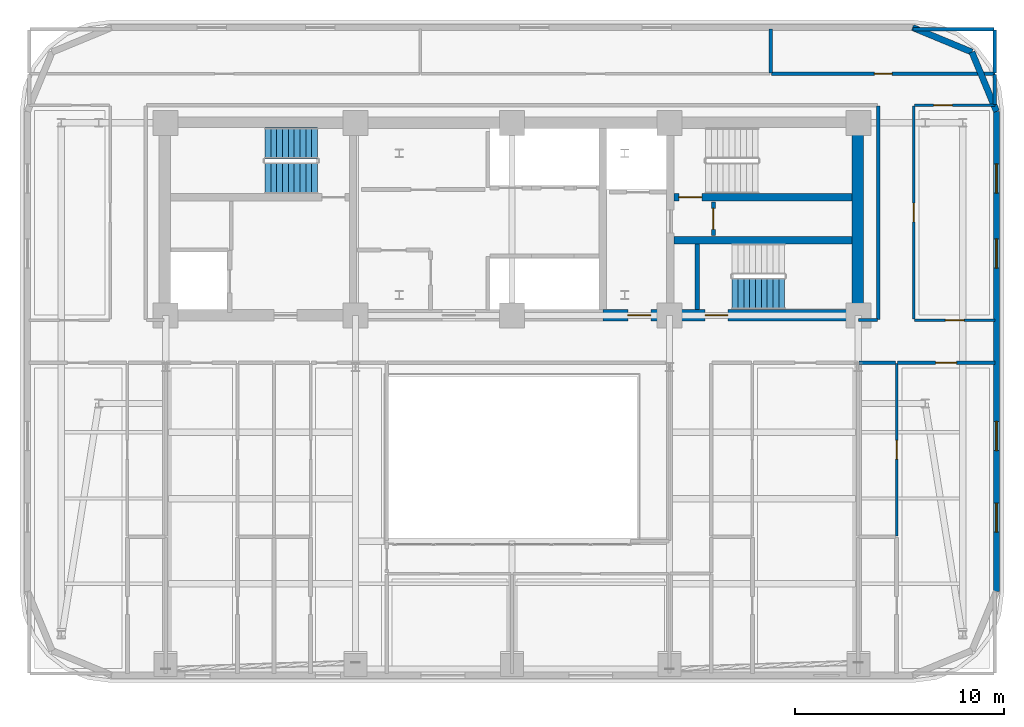
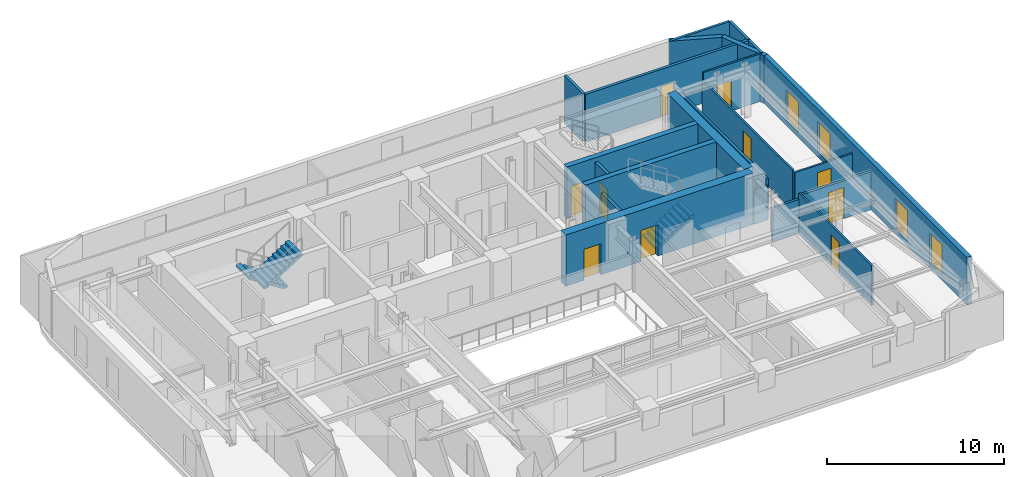
# One storey, part 8 of 12: 22 walls, 10 doors, 4 windows, 3 stair flights, 14 openings, 2 elements without a shape of their own.
"""IFC4 building model written with IfcOpenShell, lengths in metres."""

from ifc_helpers import new_model, si_unit, direction, frame, frame_2d, origin, place, context, subcontext, project, spatial, polyline, rectangle, outline, extrude, material, layer, layer_set, type_object, element, fill, aggregate, save


model = new_model("IFC4")

# Units and contexts
model_context = context("Model", 3, precision=1e-05, world=origin(), true_north=direction((0.0, 1.0)))
body_context = subcontext(model_context, "Body", "Model", "MODEL_VIEW")
ifc_project = project(units=[si_unit("LENGTHUNIT", "METRE"), si_unit("AREAUNIT", "SQUARE_METRE"), si_unit("VOLUMEUNIT", "CUBIC_METRE"), si_unit("PLANEANGLEUNIT", "RADIAN"), si_unit("MASSUNIT", "GRAM", prefix="KILO")], contexts=[model_context])

# Site, building, storey
site_placement = place(None, origin())
site = spatial("IfcSite", under=ifc_project, at=site_placement, CompositionType="ELEMENT")
building_placement = place(site_placement, origin())
building = spatial("IfcBuilding", under=site, at=building_placement, Name="Zarnavel Station Tower", CompositionType="ELEMENT")
storey_placement = place(building_placement, frame((0.0, 0.0, 166.10009765625)))
storey = spatial("IfcBuildingStorey", under=building, at=storey_placement, Name="L45", CompositionType="ELEMENT", Elevation=166.10009765625)

# Wall, opening, door
ifc_material_1 = material(Name="Concrete C50/60", Category="concrete")
ifc_layer_1 = layer(ifc_material_1, 0.35009765625)
ifc_layer_set_1 = layer_set([ifc_layer_1], Name="CW_350")
wall_type_1 = type_object("IfcWallType", Name="CW_350", PredefinedType="SHEAR", material=ifc_layer_set_1)
wall_1_placement = place(storey_placement, frame((45.10498046875, 33.47998046875, 0.0), z_axis=(0.0, 0.0, 1.0), x_axis=(-1.0, 0.0, 0.0)))
wall_1 = element("IfcWall", 1, at=wall_1_placement, inside=storey, type_object=wall_type_1, Name="L45 Rear Core Shear Wall DIV-H2", PredefinedType="SHEAR", context=body_context, shape_type="SweptSolid", body=[
    extrude(rectangle(XDim=8.550048828125, YDim=0.35009765625, at=frame_2d((4.27490234375, 0.0))), origin(), (0.0, 0.0, 1.0), 3.5498046875),
])
opening_1_placement = place(wall_1_placement, frame((7.205078125, 0.0, 0.0)))
opening_1 = element("IfcOpeningElement", 2, at=opening_1_placement, cuts=wall_1, Name="Opening FD01", PredefinedType="OPENING", context=body_context, shape_type="SweptSolid", body=[
    extrude(rectangle(XDim=1.10009765625, YDim=2.14990234375, at=frame_2d((0.550048828125, 1.074951171875))), frame((0.0, 0.18505859375, 0.0), z_axis=(0.0, -1.0, 0.0), x_axis=(1.0, 0.0, 0.0)), (0.0, 0.0, 1.0), 0.3701171875),
])
ifc_material_2 = material(Name="Painted Galvanised Steel and Hardwood Leaf", Category="steel")
door_type_1 = type_object("IfcDoorType", Name="ID_STAIR_1100", OperationType="NOTDEFINED", PredefinedType="DOOR", material=ifc_material_2)
door_1_placement = place(opening_1_placement, origin())
door_1 = element("IfcDoor", 3, at=door_1_placement, inside=storey, type_object=door_type_1, Name="L45 Stair ST2 Lobby Fire Door", OperationType="SINGLE_SWING_RIGHT", OverallHeight=2.14990234375, OverallWidth=1.10009765625, PredefinedType="DOOR", context=body_context, shape_type="SweptSolid", body=[
    extrude(rectangle(XDim=1.10009765625, YDim=2.14990234375, at=frame_2d((0.550048828125, 1.074951171875))), frame((0.0, 0.02490234375, 0.0), z_axis=(0.0, -1.0, 0.0), x_axis=(1.0, 0.0, 0.0)), (0.0, 0.0, 1.0), 0.050048828125),
])
fill(opening_1, door_1)

# Wall
wall_2_placement = place(storey_placement, frame((36.554931640625, 31.419921875, 0.0), z_axis=(0.0, 0.0, 1.0), x_axis=(1.0, 0.0, 0.0)))
element("IfcWall", 4, at=wall_2_placement, inside=storey, type_object=wall_type_1, Name="L45 Rear Core Shear Wall DIV-H3", PredefinedType="SHEAR", context=body_context, shape_type="SweptSolid", body=[
    extrude(rectangle(XDim=8.550048828125, YDim=0.35009765625, at=frame_2d((4.27490234375, 0.0))), origin(), (0.0, 0.0, 1.0), 3.5498046875),
])

# Wall, openings, doors
ifc_material_3 = material(Name="Concrete C50/60", Category="concrete")
ifc_layer_2 = layer(ifc_material_3, 0.550048828125)
ifc_layer_set_2 = layer_set([ifc_layer_2], Name="CW_550")
wall_type_2 = type_object("IfcWallType", Name="CW_550", PredefinedType="SHEAR", material=ifc_layer_set_2)
wall_3_placement = place(storey_placement, frame((45.3798828125, 27.820068359375, 0.0), z_axis=(0.0, 0.0, 1.0), x_axis=(-1.0, 0.0, 0.0)))
wall_3 = element("IfcWall", 5, at=wall_3_placement, inside=storey, type_object=wall_type_2, Name="L45 Rear Core Shear Wall S-E", PredefinedType="SHEAR", context=body_context, shape_type="SweptSolid", body=[
    extrude(rectangle(XDim=12.22998046875, YDim=0.550048828125, at=frame_2d((6.114990234375, 0.0))), origin(), (0.0, 0.0, 1.0), 3.5498046875),
])
opening_2_placement = place(wall_3_placement, frame((9.929931640625, 0.0, 0.0)))
opening_2 = element("IfcOpeningElement", 6, at=opening_2_placement, cuts=wall_3, Name="Opening FD01", PredefinedType="OPENING", context=body_context, shape_type="SweptSolid", body=[
    extrude(rectangle(XDim=1.10009765625, YDim=2.14990234375, at=frame_2d((0.550048828125, 1.074951171875))), frame((0.0, 0.284912109375, 0.0), z_axis=(0.0, -1.0, 0.0), x_axis=(1.0, 0.0, 0.0)), (0.0, 0.0, 1.0), 0.570068359375),
])
opening_3_placement = place(wall_3_placement, frame((6.22998046875, 0.0, 0.0)))
opening_3 = element("IfcOpeningElement", 7, at=opening_3_placement, cuts=wall_3, Name="Opening FD01", PredefinedType="OPENING", context=body_context, shape_type="SweptSolid", body=[
    extrude(rectangle(XDim=1.10009765625, YDim=2.14990234375, at=frame_2d((0.550048828125, 1.074951171875))), frame((0.0, 0.284912109375, 0.0), z_axis=(0.0, -1.0, 0.0), x_axis=(1.0, 0.0, 0.0)), (0.0, 0.0, 1.0), 0.570068359375),
])
door_2_placement = place(opening_2_placement, origin())
door_2 = element("IfcDoor", 8, at=door_2_placement, inside=storey, type_object=door_type_1, Name="L45 East Firefighting Lobby Door", OperationType="SINGLE_SWING_LEFT", OverallHeight=2.14990234375, OverallWidth=1.10009765625, PredefinedType="DOOR", context=body_context, shape_type="SweptSolid", body=[
    extrude(rectangle(XDim=1.10009765625, YDim=2.14990234375, at=frame_2d((0.550048828125, 1.074951171875))), frame((0.0, 0.02490234375, 0.0), z_axis=(0.0, -1.0, 0.0), x_axis=(1.0, 0.0, 0.0)), (0.0, 0.0, 1.0), 0.050048828125),
])
fill(opening_2, door_2)
door_3_placement = place(opening_3_placement, origin())
door_3 = element("IfcDoor", 9, at=door_3_placement, inside=storey, type_object=door_type_1, Name="L45 Stair ST3 Corridor Fire Door", OperationType="SINGLE_SWING_RIGHT", OverallHeight=2.14990234375, OverallWidth=1.10009765625, PredefinedType="DOOR", context=body_context, shape_type="SweptSolid", body=[
    extrude(rectangle(XDim=1.10009765625, YDim=2.14990234375, at=frame_2d((0.550048828125, 1.074951171875))), frame((0.0, 0.02490234375, 0.0), z_axis=(0.0, -1.0, 0.0), x_axis=(1.0, 0.0, 0.0)), (0.0, 0.0, 1.0), 0.050048828125),
])
fill(opening_3, door_3)

# Wall
wall_4_placement = place(storey_placement, frame((45.3798828125, 28.094970703125, 0.0), z_axis=(0.0, 0.0, 1.0), x_axis=(0.0, 1.0, 0.0)))
element("IfcWall", 10, at=wall_4_placement, inside=storey, type_object=wall_type_2, Name="L45 Rear Core Shear Wall E", PredefinedType="SHEAR", context=body_context, shape_type="SweptSolid", body=[
    extrude(rectangle(XDim=8.679931640625, YDim=0.550048828125, at=frame_2d((4.33984375, 0.0))), origin(), (0.0, 0.0, 1.0), 3.5498046875),
])

# Wall, openings, windows
ifc_material_4 = material(Name="Precast concrete C45/55 (Dark Basalt Finish)", Category="masonry")
ifc_layer_3 = layer(ifc_material_4, 0.300048828125)
ifc_layer_set_3 = layer_set([ifc_layer_3], Name="EW_BASALT_300")
wall_type_3 = type_object("IfcWallType", Name="EW_BASALT_300", PredefinedType="SOLIDWALL", material=ifc_layer_set_3)
wall_5_placement = place(storey_placement, frame((52.02001953125, 37.60009765625, 0.0), z_axis=(0.0, 0.0, 1.0), x_axis=(0.0, -1.0, 0.0)))
wall_5 = element("IfcWall", 11, at=wall_5_placement, inside=storey, type_object=wall_type_3, Name="L45 Exterior Basalt Masonry Frame Wall 03", PredefinedType="SOLIDWALL", context=body_context, shape_type="SweptSolid", body=[
    extrude(rectangle(XDim=23.0, YDim=0.300048828125, at=frame_2d((11.5, 0.0))), origin(), (0.0, 0.0, 1.0), 3.289794921875),
])
opening_4_placement = place(wall_5_placement, frame((2.51318359375, 0.0, 0.340087890625)))
opening_4 = element("IfcOpeningElement", 12, at=opening_4_placement, cuts=wall_5, Name="Opening WN04", PredefinedType="OPENING", context=body_context, shape_type="SweptSolid", body=[
    extrude(rectangle(XDim=1.39990234375, YDim=2.10009765625, at=frame_2d((0.699951171875, 1.050048828125))), frame((0.0, 0.159912109375, 0.0), z_axis=(0.0, -1.0, 0.0), x_axis=(1.0, 0.0, 0.0)), (0.0, 0.0, 1.0), 0.320068359375),
])
opening_5_placement = place(wall_5_placement, frame((6.106689453125, 0.0, 0.340087890625)))
opening_5 = element("IfcOpeningElement", 13, at=opening_5_placement, cuts=wall_5, Name="Opening WN04", PredefinedType="OPENING", context=body_context, shape_type="SweptSolid", body=[
    extrude(rectangle(XDim=1.39990234375, YDim=2.10009765625, at=frame_2d((0.699951171875, 1.050048828125))), frame((0.0, 0.159912109375, 0.0), z_axis=(0.0, -1.0, 0.0), x_axis=(1.0, 0.0, 0.0)), (0.0, 0.0, 1.0), 0.320068359375),
])
opening_6_placement = place(wall_5_placement, frame((14.860107421875, 0.0, 0.340087890625)))
opening_6 = element("IfcOpeningElement", 14, at=opening_6_placement, cuts=wall_5, Name="Opening WN04", PredefinedType="OPENING", context=body_context, shape_type="SweptSolid", body=[
    extrude(rectangle(XDim=1.39990234375, YDim=2.10009765625, at=frame_2d((0.699951171875, 1.050048828125))), frame((0.0, 0.159912109375, 0.0), z_axis=(0.0, -1.0, 0.0), x_axis=(1.0, 0.0, 0.0)), (0.0, 0.0, 1.0), 0.320068359375),
])
opening_7_placement = place(wall_5_placement, frame((18.77001953125, 0.0, 0.340087890625)))
opening_7 = element("IfcOpeningElement", 15, at=opening_7_placement, cuts=wall_5, Name="Opening WN04", PredefinedType="OPENING", context=body_context, shape_type="SweptSolid", body=[
    extrude(rectangle(XDim=1.39990234375, YDim=2.10009765625, at=frame_2d((0.699951171875, 1.050048828125))), frame((0.0, 0.159912109375, 0.0), z_axis=(0.0, -1.0, 0.0), x_axis=(1.0, 0.0, 0.0)), (0.0, 0.0, 1.0), 0.320068359375),
])
ifc_material_5 = material(Name="Thermally Broken Black Aluminium and Low-E Dark Glass", Category="aluminium")
window_type = type_object("IfcWindowType", Name="WN_1400x2100", PartitioningType="DOUBLE_PANEL_VERTICAL", PredefinedType="WINDOW", material=ifc_material_5)
window_1_placement = place(opening_4_placement, origin())
window_1 = element("IfcWindow", 16, at=window_1_placement, inside=storey, type_object=window_type, Name="L45 Recessed Facade Window 01", OverallHeight=2.10009765625, OverallWidth=1.39990234375, PartitioningType="SINGLE_PANEL", PredefinedType="WINDOW", context=body_context, shape_type="SweptSolid", body=[
    extrude(rectangle(XDim=1.39990234375, YDim=2.10009765625, at=frame_2d((0.699951171875, 1.050048828125))), frame((0.0, 0.030029296875, 0.0), z_axis=(0.0, -1.0, 0.0), x_axis=(1.0, 0.0, 0.0)), (0.0, 0.0, 1.0), 0.06005859375),
])
fill(opening_4, window_1)
window_2_placement = place(opening_5_placement, origin())
window_2 = element("IfcWindow", 17, at=window_2_placement, inside=storey, type_object=window_type, Name="L45 Recessed Facade Window 02", OverallHeight=2.10009765625, OverallWidth=1.39990234375, PartitioningType="SINGLE_PANEL", PredefinedType="WINDOW", context=body_context, shape_type="SweptSolid", body=[
    extrude(rectangle(XDim=1.39990234375, YDim=2.10009765625, at=frame_2d((0.699951171875, 1.050048828125))), frame((0.0, 0.030029296875, 0.0), z_axis=(0.0, -1.0, 0.0), x_axis=(1.0, 0.0, 0.0)), (0.0, 0.0, 1.0), 0.06005859375),
])
fill(opening_5, window_2)
window_3_placement = place(opening_6_placement, origin())
window_3 = element("IfcWindow", 18, at=window_3_placement, inside=storey, type_object=window_type, Name="L45 Recessed Facade Window 03", OverallHeight=2.10009765625, OverallWidth=1.39990234375, PartitioningType="SINGLE_PANEL", PredefinedType="WINDOW", context=body_context, shape_type="SweptSolid", body=[
    extrude(rectangle(XDim=1.39990234375, YDim=2.10009765625, at=frame_2d((0.699951171875, 1.050048828125))), frame((0.0, 0.030029296875, 0.0), z_axis=(0.0, -1.0, 0.0), x_axis=(1.0, 0.0, 0.0)), (0.0, 0.0, 1.0), 0.06005859375),
])
fill(opening_6, window_3)
window_4_placement = place(opening_7_placement, origin())
window_4 = element("IfcWindow", 19, at=window_4_placement, inside=storey, type_object=window_type, Name="L45 Recessed Facade Window 04", OverallHeight=2.10009765625, OverallWidth=1.39990234375, PartitioningType="SINGLE_PANEL", PredefinedType="WINDOW", context=body_context, shape_type="SweptSolid", body=[
    extrude(rectangle(XDim=1.39990234375, YDim=2.10009765625, at=frame_2d((0.699951171875, 1.050048828125))), frame((0.0, 0.030029296875, 0.0), z_axis=(0.0, -1.0, 0.0), x_axis=(1.0, 0.0, 0.0)), (0.0, 0.0, 1.0), 0.06005859375),
])
fill(opening_7, window_4)

# Walls
for number, where, z_axis, x_axis, name in (
    (20, (50.842529296875, 40.442626953125, 0.0), (0.0, 0.0, 1.0), (0.382704529509, -0.923870793506, 0.0), "L45 Exterior Basalt Masonry Frame Wall 04"),
    (21, (48.0, 41.6201171875, 0.0), (0.0, 0.0, 1.0), (0.923870793506, -0.382704529509, 0.0), "L45 Exterior Basalt Masonry Frame Wall 05"),
):
    element("IfcWall", number, at=place(storey_placement, frame(where, z_axis=z_axis, x_axis=x_axis)), inside=storey, type_object=wall_type_3, Name=name, PredefinedType="SOLIDWALL", context=body_context, shape_type="SweptSolid", body=[
        extrude(rectangle(XDim=3.07666015625, YDim=0.300048828125, at=frame_2d((1.538330078125, 0.0))), origin(), (0.0, 0.0, 1.0), 3.289794921875),
    ])

# Wall, opening, door
ifc_material_6 = material(Name="Gypsum Twin-Stud Acoustic Fire Partition", Category="concrete")
ifc_layer_4 = layer(ifc_material_6, 0.159912109375)
ifc_layer_set_4 = layer_set([ifc_layer_4], Name="PT_DEMISE_160")
wall_type_4 = type_object("IfcWallType", Name="PT_DEMISE_160", PredefinedType="PARTITIONING", material=ifc_layer_set_4)
wall_6_placement = place(storey_placement, frame((47.27099609375, 25.550048828125, 0.0), z_axis=(0.0, 0.0, 1.0), x_axis=(1.0, 0.0, 0.0)))
wall_6 = element("IfcWall", 22, at=wall_6_placement, inside=storey, type_object=wall_type_4, Name="L45 Partition COR-S-HE2R", PredefinedType="PARTITIONING", context=body_context, shape_type="SweptSolid", body=[
    extrude(rectangle(XDim=4.6689453125, YDim=0.159912109375, at=frame_2d((2.33447265625, 0.0))), origin(), (0.0, 0.0, 1.0), 2.619873046875),
])
opening_8_placement = place(wall_6_placement, frame((1.83447265625, 0.0, 0.0)))
opening_8 = element("IfcOpeningElement", 23, at=opening_8_placement, cuts=wall_6, Name="Opening FD02", PredefinedType="OPENING", context=body_context, shape_type="SweptSolid", body=[
    extrude(rectangle(XDim=1.0, YDim=2.14990234375, at=frame_2d((0.5, 1.074951171875))), frame((0.0, 0.08984375, 0.0), z_axis=(0.0, -1.0, 0.0), x_axis=(1.0, 0.0, 0.0)), (0.0, 0.0, 1.0), 0.179931640625),
])
ifc_material_7 = material(Name="Painted Galvanised Steel and Hardwood Leaf", Category="steel")
door_type_2 = type_object("IfcDoorType", Name="ID_ENTRY_1000", OperationType="NOTDEFINED", PredefinedType="DOOR", material=ifc_material_7)
door_4_placement = place(opening_8_placement, origin())
door_4 = element("IfcDoor", 24, at=door_4_placement, inside=storey, type_object=door_type_2, Name="L45 Door COR-S-HE2R", OperationType="SINGLE_SWING_LEFT", OverallHeight=2.14990234375, OverallWidth=1.0, PredefinedType="DOOR", context=body_context, shape_type="SweptSolid", body=[
    extrude(rectangle(XDim=1.0, YDim=2.14990234375, at=frame_2d((0.5, 1.074951171875))), frame((0.0, 0.02490234375, 0.0), z_axis=(0.0, -1.0, 0.0), x_axis=(1.0, 0.0, 0.0)), (0.0, 0.0, 1.0), 0.050048828125),
])
fill(opening_8, door_4)

# Walls
wall_7_placement = place(storey_placement, frame((45.43994140625, 25.550048828125, 0.0), z_axis=(0.0, 0.0, 1.0), x_axis=(1.0, 0.0, 0.0)))
element("IfcWall", 25, at=wall_7_placement, inside=storey, type_object=wall_type_4, Name="L45 Partition COR-S-HE2S", PredefinedType="PARTITIONING", context=body_context, shape_type="SweptSolid", body=[
    extrude(rectangle(XDim=1.7509765625, YDim=0.159912109375, at=frame_2d((0.87548828125, 0.0))), origin(), (0.0, 0.0, 1.0), 2.35986328125),
])
wall_8_placement = place(storey_placement, frame((45.409912109375, 27.60009765625, 0.0), z_axis=(0.0, 0.0, 1.0), x_axis=(1.0, 0.0, 0.0)))
element("IfcWall", 26, at=wall_8_placement, inside=storey, type_object=wall_type_4, Name="L45 Enclosure Wall COR-S", PredefinedType="PARTITIONING", context=body_context, shape_type="SweptSolid", body=[
    extrude(rectangle(XDim=0.91015625, YDim=0.159912109375, at=frame_2d((0.455078125, 0.0))), origin(), (0.0, 0.0, 1.0), 2.35986328125),
])
wall_9_placement = place(storey_placement, frame((46.35009765625, 27.6298828125, 0.0), z_axis=(0.0, 0.0, 1.0), x_axis=(0.0, 1.0, 0.0)))
element("IfcWall", 27, at=wall_9_placement, inside=storey, type_object=wall_type_4, Name="L45 Enclosure Wall COR-E", PredefinedType="PARTITIONING", context=body_context, shape_type="SweptSolid", body=[
    extrude(rectangle(XDim=10.240234375, YDim=0.159912109375, at=frame_2d((5.1201171875, 0.0))), origin(), (0.0, 0.0, 1.0), 2.77001953125),
])
wall_10_placement = place(storey_placement, frame((51.93994140625, 37.929931640625, 0.0), z_axis=(0.0, 0.0, 1.0), x_axis=(0.0, 1.0, 0.0)))
element("IfcWall", 28, at=wall_10_placement, inside=storey, type_object=wall_type_4, Name="L45 Enclosure Wall COR-N", PredefinedType="PARTITIONING", context=body_context, shape_type="SweptSolid", body=[
    extrude(rectangle(XDim=1.440185546875, YDim=0.159912109375, at=frame_2d((0.72021484375, 0.0))), origin(), (0.0, 0.0, 1.0), 3.289794921875),
])
wall_11_placement = place(storey_placement, frame((48.030029296875, 41.5400390625, 0.0), z_axis=(0.0, 0.0, 1.0), x_axis=(1.0, 0.0, 0.0)))
element("IfcWall", 29, at=wall_11_placement, inside=storey, type_object=wall_type_4, Name="L45 Enclosure Wall NWC", PredefinedType="PARTITIONING", context=body_context, shape_type="SweptSolid", body=[
    extrude(rectangle(XDim=3.8798828125, YDim=0.159912109375, at=frame_2d((1.93994140625, 0.0))), origin(), (0.0, 0.0, 1.0), 3.289794921875),
])
wall_12_placement = place(storey_placement, frame((51.93994140625, 39.429931640625, 0.0), z_axis=(0.0, 0.0, 1.0), x_axis=(0.0, 1.0, 0.0)))
element("IfcWall", 30, at=wall_12_placement, inside=storey, type_object=wall_type_4, Name="L45 Enclosure Wall NWC", PredefinedType="PARTITIONING", context=body_context, shape_type="SweptSolid", body=[
    extrude(rectangle(XDim=2.080078125, YDim=0.159912109375, at=frame_2d((1.0400390625, 0.0))), origin(), (0.0, 0.0, 1.0), 3.289794921875),
])

# Wall, opening, door
ifc_material_8 = material(Name="Gypsum Metal-Stud Interior Partition", Category="concrete")
ifc_layer_5 = layer(ifc_material_8, 0.1201171875)
ifc_layer_set_5 = layer_set([ifc_layer_5], Name="PT_ROOM_120")
wall_type_5 = type_object("IfcWallType", Name="PT_ROOM_120", PredefinedType="PARTITIONING", material=ifc_layer_set_5)
wall_13_placement = place(storey_placement, frame((48.090087890625, 27.60009765625, 0.0), z_axis=(0.0, 0.0, 1.0), x_axis=(1.0, 0.0, 0.0)))
wall_13 = element("IfcWall", 31, at=wall_13_placement, inside=storey, type_object=wall_type_5, Name="L45 Partition COR-S-FNE", PredefinedType="PARTITIONING", context=body_context, shape_type="SweptSolid", body=[
    extrude(rectangle(XDim=3.849853515625, YDim=0.1201171875, at=frame_2d((1.9248046875, 0.0))), origin(), (0.0, 0.0, 1.0), 2.619873046875),
])
opening_9_placement = place(wall_13_placement, frame((1.47509765625, 0.0, 0.0)))
opening_9 = element("IfcOpeningElement", 32, at=opening_9_placement, cuts=wall_13, Name="Opening ID01", PredefinedType="OPENING", context=body_context, shape_type="SweptSolid", body=[
    extrude(rectangle(XDim=0.89990234375, YDim=2.10009765625, at=frame_2d((0.449951171875, 1.050048828125))), frame((0.0, 0.070068359375, 0.0), z_axis=(0.0, -1.0, 0.0), x_axis=(1.0, 0.0, 0.0)), (0.0, 0.0, 1.0), 0.14013671875),
])
ifc_material_9 = material(Name="Painted Galvanised Steel and Hardwood Leaf", Category="steel")
door_type_3 = type_object("IfcDoorType", Name="ID_ROOM_900", OperationType="NOTDEFINED", PredefinedType="DOOR", material=ifc_material_9)
door_5_placement = place(opening_9_placement, origin())
door_5 = element("IfcDoor", 33, at=door_5_placement, inside=storey, type_object=door_type_3, Name="L45 Door COR-S-FNE", OperationType="SINGLE_SWING_RIGHT", OverallHeight=2.10009765625, OverallWidth=0.89990234375, PredefinedType="DOOR", context=body_context, shape_type="SweptSolid", body=[
    extrude(rectangle(XDim=0.89990234375, YDim=2.10009765625, at=frame_2d((0.449951171875, 1.050048828125))), frame((0.0, 0.02490234375, 0.0), z_axis=(0.0, -1.0, 0.0), x_axis=(1.0, 0.0, 0.0)), (0.0, 0.0, 1.0), 0.050048828125),
])
fill(opening_9, door_5)

wall_14_placement = place(storey_placement, frame((48.050048828125, 27.639892578125, 0.0), z_axis=(0.0, 0.0, 1.0), x_axis=(0.0, 1.0, 0.0)))
wall_14 = element("IfcWall", 34, at=wall_14_placement, inside=storey, type_object=wall_type_5, Name="L45 Partition COR-E-FNE", PredefinedType="PARTITIONING", context=body_context, shape_type="SweptSolid", body=[
    extrude(rectangle(XDim=10.22021484375, YDim=0.1201171875, at=frame_2d((5.110107421875, 0.0))), origin(), (0.0, 0.0, 1.0), 2.77001953125),
])
opening_10_placement = place(wall_14_placement, frame((4.659912109375, 0.0, 0.0)))
opening_10 = element("IfcOpeningElement", 35, at=opening_10_placement, cuts=wall_14, Name="Opening ID01", PredefinedType="OPENING", context=body_context, shape_type="SweptSolid", body=[
    extrude(rectangle(XDim=0.89990234375, YDim=2.10009765625, at=frame_2d((0.449951171875, 1.050048828125))), frame((0.0, 0.070068359375, 0.0), z_axis=(0.0, -1.0, 0.0), x_axis=(1.0, 0.0, 0.0)), (0.0, 0.0, 1.0), 0.14013671875),
])
door_6_placement = place(opening_10_placement, origin())
door_6 = element("IfcDoor", 36, at=door_6_placement, inside=storey, type_object=door_type_3, Name="L45 Door COR-E-FNE", OperationType="SINGLE_SWING_LEFT", OverallHeight=2.10009765625, OverallWidth=0.89990234375, PredefinedType="DOOR", context=body_context, shape_type="SweptSolid", body=[
    extrude(rectangle(XDim=0.89990234375, YDim=2.10009765625, at=frame_2d((0.449951171875, 1.050048828125))), frame((0.0, 0.02490234375, 0.0), z_axis=(0.0, -1.0, 0.0), x_axis=(1.0, 0.0, 0.0)), (0.0, 0.0, 1.0), 0.050048828125),
])
fill(opening_10, door_6)

wall_15_placement = place(storey_placement, frame((48.090087890625, 37.89990234375, 0.0), z_axis=(0.0, 0.0, 1.0), x_axis=(1.0, 0.0, 0.0)))
wall_15 = element("IfcWall", 37, at=wall_15_placement, inside=storey, type_object=wall_type_5, Name="L45 Partition COR-N-FNE", PredefinedType="PARTITIONING", context=body_context, shape_type="SweptSolid", body=[
    extrude(rectangle(XDim=3.849853515625, YDim=0.1201171875, at=frame_2d((1.9248046875, 0.0))), origin(), (0.0, 0.0, 1.0), 3.289794921875),
])
opening_11_placement = place(wall_15_placement, frame((0.918701171875, 0.0, 0.0)))
opening_11 = element("IfcOpeningElement", 38, at=opening_11_placement, cuts=wall_15, Name="Opening ID01", PredefinedType="OPENING", context=body_context, shape_type="SweptSolid", body=[
    extrude(rectangle(XDim=0.89990234375, YDim=2.10009765625, at=frame_2d((0.449951171875, 1.050048828125))), frame((0.0, 0.070068359375, 0.0), z_axis=(0.0, -1.0, 0.0), x_axis=(1.0, 0.0, 0.0)), (0.0, 0.0, 1.0), 0.14013671875),
])
door_7_placement = place(opening_11_placement, origin())
door_7 = element("IfcDoor", 39, at=door_7_placement, inside=storey, type_object=door_type_3, Name="L45 Door COR-N-FNE", OperationType="SINGLE_SWING_LEFT", OverallHeight=2.10009765625, OverallWidth=0.89990234375, PredefinedType="DOOR", context=body_context, shape_type="SweptSolid", body=[
    extrude(rectangle(XDim=0.89990234375, YDim=2.10009765625, at=frame_2d((0.449951171875, 1.050048828125))), frame((0.0, 0.02490234375, 0.0), z_axis=(0.0, -1.0, 0.0), x_axis=(1.0, 0.0, 0.0)), (0.0, 0.0, 1.0), 0.050048828125),
])
fill(opening_11, door_7)

wall_16_placement = place(storey_placement, frame((47.23095703125, 17.251953125, 0.0), z_axis=(0.0, 0.0, 1.0), x_axis=(0.0, 1.0, 0.0)))
wall_16 = element("IfcWall", 40, at=wall_16_placement, inside=storey, type_object=wall_type_5, Name="L45 Partition HE2R-HE2S", PredefinedType="PARTITIONING", context=body_context, shape_type="SweptSolid", body=[
    extrude(rectangle(XDim=8.258056640625, YDim=0.1201171875, at=frame_2d((4.12890625, 0.0))), origin(), (0.0, 0.0, 1.0), 2.77001953125),
])
opening_12_placement = place(wall_16_placement, frame((3.678955078125, 0.0, 0.0)))
opening_12 = element("IfcOpeningElement", 41, at=opening_12_placement, cuts=wall_16, Name="Opening ID01", PredefinedType="OPENING", context=body_context, shape_type="SweptSolid", body=[
    extrude(rectangle(XDim=0.89990234375, YDim=2.10009765625, at=frame_2d((0.449951171875, 1.050048828125))), frame((0.0, 0.070068359375, 0.0), z_axis=(0.0, -1.0, 0.0), x_axis=(1.0, 0.0, 0.0)), (0.0, 0.0, 1.0), 0.14013671875),
])
door_8_placement = place(opening_12_placement, origin())
door_8 = element("IfcDoor", 42, at=door_8_placement, inside=storey, type_object=door_type_3, Name="L45 Door HE2R-HE2S", OperationType="SINGLE_SWING_LEFT", OverallHeight=2.10009765625, OverallWidth=0.89990234375, PredefinedType="DOOR", context=body_context, shape_type="SweptSolid", body=[
    extrude(rectangle(XDim=0.89990234375, YDim=2.10009765625, at=frame_2d((0.449951171875, 1.050048828125))), frame((0.0, 0.02490234375, 0.0), z_axis=(0.0, -1.0, 0.0), x_axis=(1.0, 0.0, 0.0)), (0.0, 0.0, 1.0), 0.050048828125),
])
fill(opening_12, door_8)

# Wall
ifc_material_10 = material(Name="Precast concrete C45/55 (Fire Shaft Blockwork)", Category="masonry")
ifc_layer_6 = layer(ifc_material_10, 0.199951171875)
ifc_layer_set_6 = layer_set([ifc_layer_6], Name="PT_SHAFT_200")
wall_type_6 = type_object("IfcWallType", Name="PT_SHAFT_200", PredefinedType="PARTITIONING", material=ifc_layer_set_6)
wall_17_placement = place(storey_placement, frame((37.679931640625, 28.094970703125, 0.0), z_axis=(0.0, 0.0, 1.0), x_axis=(0.0, 1.0, 0.0)))
element("IfcWall", 43, at=wall_17_placement, inside=storey, type_object=wall_type_6, Name="L45 Stair ST3 West Shaft Wall", PredefinedType="PARTITIONING", context=body_context, shape_type="SweptSolid", body=[
    extrude(rectangle(XDim=3.155029296875, YDim=0.199951171875, at=frame_2d((1.57763671875, 0.0))), origin(), (0.0, 0.0, 1.0), 2.669921875),
])

# Wall, opening, door
wall_18_placement = place(storey_placement, frame((38.449951171875, 31.639892578125, 0.0), z_axis=(0.0, 0.0, 1.0), x_axis=(0.0, 1.0, 0.0)))
wall_18 = element("IfcWall", 44, at=wall_18_placement, inside=storey, type_object=wall_type_6, Name="L45 Partition ESTV-CEA", PredefinedType="PARTITIONING", context=body_context, shape_type="SweptSolid", body=[
    extrude(rectangle(XDim=1.6201171875, YDim=0.199951171875, at=frame_2d((0.81005859375, 0.0))), origin(), (0.0, 0.0, 1.0), 3.289794921875),
])
opening_13_placement = place(wall_18_placement, frame((0.31005859375, 0.0, 0.0)))
opening_13 = element("IfcOpeningElement", 45, at=opening_13_placement, cuts=wall_18, Name="Opening FD02", PredefinedType="OPENING", context=body_context, shape_type="SweptSolid", body=[
    extrude(rectangle(XDim=1.0, YDim=2.14990234375, at=frame_2d((0.5, 1.074951171875))), frame((0.0, 0.10986328125, 0.0), z_axis=(0.0, -1.0, 0.0), x_axis=(1.0, 0.0, 0.0)), (0.0, 0.0, 1.0), 0.219970703125),
])
door_9_placement = place(opening_13_placement, origin())
door_9 = element("IfcDoor", 46, at=door_9_placement, inside=storey, type_object=door_type_2, Name="L45 Door ESTV-CEA", OperationType="SINGLE_SWING_LEFT", OverallHeight=2.14990234375, OverallWidth=1.0, PredefinedType="DOOR", context=body_context, shape_type="SweptSolid", body=[
    extrude(rectangle(XDim=1.0, YDim=2.14990234375, at=frame_2d((0.5, 1.074951171875))), frame((0.0, 0.02490234375, 0.0), z_axis=(0.0, -1.0, 0.0), x_axis=(1.0, 0.0, 0.0)), (0.0, 0.0, 1.0), 0.050048828125),
])
fill(opening_13, door_9)

ifc_material_11 = material(Name="Moisture-Resistant Plumbing Chase Wall", Category="concrete")
ifc_layer_7 = layer(ifc_material_11, 0.179931640625)
ifc_layer_set_7 = layer_set([ifc_layer_7], Name="PW_PLUMB_180")
wall_type_7 = type_object("IfcWallType", Name="PW_PLUMB_180", PredefinedType="PLUMBINGWALL", material=ifc_layer_set_7)
wall_19_placement = place(storey_placement, frame((41.239990234375, 39.39990234375, 0.0), z_axis=(0.0, 0.0, 1.0), x_axis=(1.0, 0.0, 0.0)))
wall_19 = element("IfcWall", 47, at=wall_19_placement, inside=storey, type_object=wall_type_7, Name="L45 Partition COR-N-NWC", PredefinedType="PLUMBINGWALL", context=body_context, shape_type="SweptSolid", body=[
    extrude(rectangle(XDim=10.699951171875, YDim=0.179931640625, at=frame_2d((5.35009765625, 0.0))), origin(), (0.0, 0.0, 1.0), 3.289794921875),
])
opening_14_placement = place(wall_19_placement, frame((4.925048828125, 0.0, 0.0)))
opening_14 = element("IfcOpeningElement", 48, at=opening_14_placement, cuts=wall_19, Name="Opening ID02", PredefinedType="OPENING", context=body_context, shape_type="SweptSolid", body=[
    extrude(rectangle(XDim=0.85009765625, YDim=2.10009765625, at=frame_2d((0.425048828125, 1.050048828125))), frame((0.0, 0.099853515625, 0.0), z_axis=(0.0, -1.0, 0.0), x_axis=(1.0, 0.0, 0.0)), (0.0, 0.0, 1.0), 0.199951171875),
])
ifc_material_12 = material(Name="Painted Galvanised Steel and Hardwood Leaf", Category="steel")
door_type_4 = type_object("IfcDoorType", Name="ID_BATH_850", OperationType="NOTDEFINED", PredefinedType="DOOR", material=ifc_material_12)
door_10_placement = place(opening_14_placement, origin())
door_10 = element("IfcDoor", 49, at=door_10_placement, inside=storey, type_object=door_type_4, Name="L45 Door COR-N-NWC", OperationType="SINGLE_SWING_RIGHT", OverallHeight=2.10009765625, OverallWidth=0.85009765625, PredefinedType="DOOR", context=body_context, shape_type="SweptSolid", body=[
    extrude(rectangle(XDim=0.85009765625, YDim=2.10009765625, at=frame_2d((0.425048828125, 1.050048828125))), frame((0.0, 0.02490234375, 0.0), z_axis=(0.0, -1.0, 0.0), x_axis=(1.0, 0.0, 0.0)), (0.0, 0.0, 1.0), 0.050048828125),
])
fill(opening_14, door_10)

# Wall
wall_20_placement = place(storey_placement, frame((41.199951171875, 39.43994140625, 0.0), z_axis=(0.0, 0.0, 1.0), x_axis=(0.0, 1.0, 0.0)))
element("IfcWall", 50, at=wall_20_placement, inside=storey, type_object=wall_type_7, Name="L45 Partition NSPA-NWC", PredefinedType="PLUMBINGWALL", context=body_context, shape_type="SweptSolid", body=[
    extrude(rectangle(XDim=2.10009765625, YDim=0.179931640625, at=frame_2d((1.050048828125, 0.0))), origin(), (0.0, 0.0, 1.0), 3.289794921875),
])

# Stair, stair flights
ifc_material_13 = material(Name="Concrete C45/55", Category="concrete")
stair_type = type_object("IfcStairType", Name="ST_CORE_150", PredefinedType="HALF_TURN_STAIR", material=ifc_material_13)
stair_1_placement = place(storey_placement, origin())
stair_1 = element("IfcStair", 51, at=stair_1_placement, inside=storey, type_object=stair_type, Name="L45 Core Exit Stair ST1", PredefinedType="HALF_TURN_STAIR")
ifc_material_14 = material(Name="Concrete C45/55", Category="concrete")
ifc_layer_8 = layer(ifc_material_14, 0.179931640625)
ifc_layer_set_8 = layer_set([ifc_layer_8], Name="ST_CORE_150_FLT")
stair_flight_type = type_object("IfcStairFlightType", Name="ST_CORE_150_FLT", PredefinedType="STRAIGHT", material=ifc_layer_set_8)
stair_flight_1_placement = place(storey_placement, frame((19.47998046875, 36.070068359375, 0.0), z_axis=(0.0, 0.0, 1.0), x_axis=(-1.0, 0.0, 0.0)))
stair_flight_1 = element("IfcStairFlight", 52, at=stair_flight_1_placement, type_object=stair_flight_type, Name="ST1 flight 1", NumberOfRisers=10, NumberOfTreads=9, PredefinedType="STRAIGHT", RiserHeight=0.1775, TreadLength=0.28, context=body_context, shape_type="SweptSolid", body=[
    extrude(outline(polyline([(0.0, 0.0), (0.0, 0.177490234375), (0.280029296875, 0.177490234375), (0.280029296875, 0.35498046875), (0.56005859375, 0.35498046875), (0.56005859375, 0.532470703125), (0.840087890625, 0.532470703125), (0.840087890625, 0.7099609375), (1.1201171875, 0.7099609375), (1.1201171875, 0.887451171875), (1.39990234375, 0.887451171875), (1.39990234375, 1.06494140625), (1.679931640625, 1.06494140625), (1.679931640625, 1.242431640625), (1.9599609375, 1.242431640625), (1.9599609375, 1.419921875), (2.239990234375, 1.419921875), (2.239990234375, 1.597412109375), (2.52001953125, 1.597412109375), (2.52001953125, 1.77490234375), (2.52001953125, 1.419921875), (0.280029296875, 0.0), (0.0, 0.0)])), frame((0.0, 0.75, 0.0), z_axis=(0.0, -1.0, 0.0), x_axis=(1.0, 0.0, 0.0)), (0.0, 0.0, 1.0), 1.5),
])
stair_flight_2_placement = place(storey_placement, frame((16.9599609375, 34.409912109375, 1.77490234375), z_axis=(0.0, 0.0, 1.0), x_axis=(1.0, 0.0, 0.0)))
stair_flight_2 = element("IfcStairFlight", 53, at=stair_flight_2_placement, type_object=stair_flight_type, Name="ST1 flight 2", NumberOfRisers=10, NumberOfTreads=9, PredefinedType="STRAIGHT", RiserHeight=0.1775, TreadLength=0.28, context=body_context, shape_type="SweptSolid", body=[
    extrude(outline(polyline([(0.0, 0.0), (0.0, 0.177490234375), (0.280029296875, 0.177490234375), (0.280029296875, 0.35498046875), (0.56005859375, 0.35498046875), (0.56005859375, 0.532470703125), (0.840087890625, 0.532470703125), (0.840087890625, 0.7099609375), (1.1201171875, 0.7099609375), (1.1201171875, 0.887451171875), (1.39990234375, 0.887451171875), (1.39990234375, 1.06494140625), (1.679931640625, 1.06494140625), (1.679931640625, 1.242431640625), (1.9599609375, 1.242431640625), (1.9599609375, 1.419921875), (2.239990234375, 1.419921875), (2.239990234375, 1.597412109375), (2.52001953125, 1.597412109375), (2.52001953125, 1.77490234375), (2.52001953125, 1.419921875), (0.280029296875, 0.0), (0.0, 0.0)])), frame((0.0, 0.75, 0.0), z_axis=(0.0, -1.0, 0.0), x_axis=(1.0, 0.0, 0.0)), (0.0, 0.0, 1.0), 1.5),
])
aggregate(stair_1, [stair_flight_1, stair_flight_2])

# Stair, stair flight
stair_2_placement = place(storey_placement, origin())
stair_2 = element("IfcStair", 54, at=stair_2_placement, inside=storey, type_object=stair_type, Name="L45 Core Exit Stair ST3", PredefinedType="HALF_TURN_STAIR")
stair_flight_3_placement = place(storey_placement, frame((39.35009765625, 28.8701171875, 0.0), z_axis=(0.0, 0.0, 1.0), x_axis=(1.0, 0.0, 0.0)))
stair_flight_3 = element("IfcStairFlight", 55, at=stair_flight_3_placement, type_object=stair_flight_type, Name="ST3 flight 1", NumberOfRisers=10, NumberOfTreads=9, PredefinedType="STRAIGHT", RiserHeight=0.1775, TreadLength=0.28, context=body_context, shape_type="SweptSolid", body=[
    extrude(outline(polyline([(0.0, 0.0), (0.0, 0.177490234375), (0.280029296875, 0.177490234375), (0.280029296875, 0.35498046875), (0.56005859375, 0.35498046875), (0.56005859375, 0.532470703125), (0.840087890625, 0.532470703125), (0.840087890625, 0.7099609375), (1.1201171875, 0.7099609375), (1.1201171875, 0.887451171875), (1.39990234375, 0.887451171875), (1.39990234375, 1.06494140625), (1.679931640625, 1.06494140625), (1.679931640625, 1.242431640625), (1.9599609375, 1.242431640625), (1.9599609375, 1.419921875), (2.239990234375, 1.419921875), (2.239990234375, 1.597412109375), (2.52001953125, 1.597412109375), (2.52001953125, 1.77490234375), (2.52001953125, 1.419921875), (0.280029296875, 0.0), (0.0, 0.0)])), frame((0.0, 0.75, 0.0), z_axis=(0.0, -1.0, 0.0), x_axis=(1.0, 0.0, 0.0)), (0.0, 0.0, 1.0), 1.5),
])
aggregate(stair_2, [stair_flight_3])

save(model, "model.ifc")
